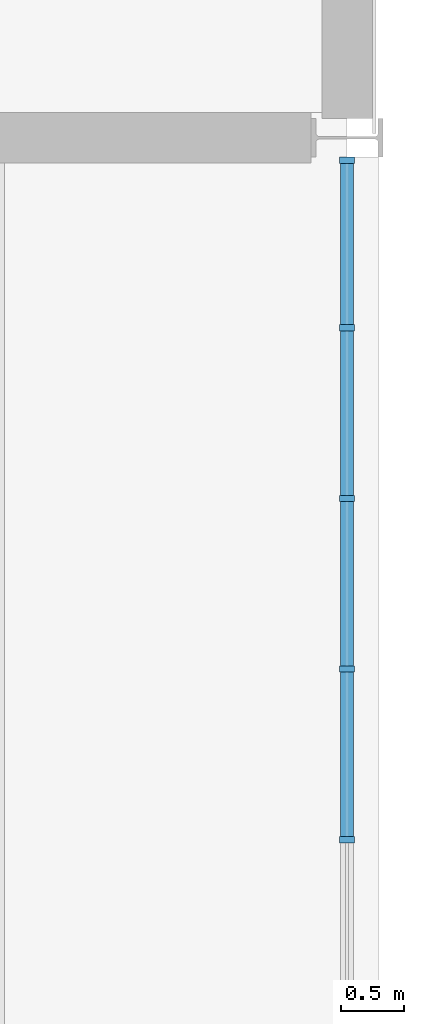
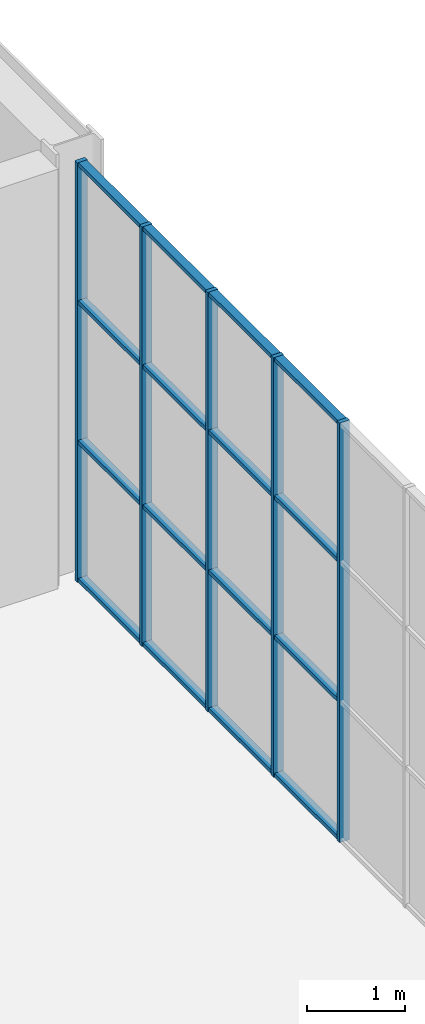
# One storey, part 31 of 64: 21 members, 1 element without a shape of its own.
"""IFC4 building model written with IfcOpenShell, lengths in metres."""

from ifc_helpers import new_model, si_unit, direction, frame, origin, origin_2d, place, context, subcontext, project, spatial, rectangle, extrude, material, layer, layer_set, material_profile, profile_set, type_object, element, aggregate, save


model = new_model("IFC4")

# Units and contexts
model_context = context("Model", 3, precision=1e-05, world=origin(), true_north=direction((0.0, 1.0)))
body_context = subcontext(model_context, "Body", "Model", "MODEL_VIEW")
ifc_project = project(units=[si_unit("LENGTHUNIT", "METRE"), si_unit("AREAUNIT", "SQUARE_METRE"), si_unit("VOLUMEUNIT", "CUBIC_METRE"), si_unit("PLANEANGLEUNIT", "RADIAN"), si_unit("MASSUNIT", "GRAM", prefix="KILO")], contexts=[model_context])

# Site, building, storey
site_placement = place(None, origin())
site = spatial("IfcSite", under=ifc_project, at=site_placement, CompositionType="ELEMENT")
building_placement = place(site_placement, origin())
building = spatial("IfcBuilding", under=site, at=building_placement, Name="Galleria Vessillo Department Store", CompositionType="ELEMENT")
storey_placement = place(building_placement, frame((0.0, 0.0, 6.0)))
storey = spatial("IfcBuildingStorey", under=building, at=storey_placement, Name="L01", CompositionType="ELEMENT", Elevation=6.0)

# Curtain wall, members
ifc_material_1 = material(Name="Aluminium and glass curtain wall", Category="aluminium")
ifc_layer = layer(ifc_material_1, 0.1201171875)
ifc_layer_set = layer_set([ifc_layer], Name="Aluminium and glass curtain wall")
curtain_wall_type = type_object("IfcCurtainWallType", Name="Shopfront curtain wall CW3 1400 module", PredefinedType="NOTDEFINED", material=ifc_layer_set)
curtain_wall_placement = place(storey_placement, origin())
curtain_wall = element("IfcCurtainWall", 1, at=curtain_wall_placement, inside=storey, type_object=curtain_wall_type, Name="Shopfront curtain wall CW3 1400 module SE-N-L01-02", PredefinedType="NOTDEFINED")
ifc_material_2 = material(Name="Aluminium alloy 6063 T6", Category="aluminium")
ifc_material_profile_1 = material_profile(ifc_material_2, rectangle(XDim=0.1201171875, YDim=0.050048828125, at=origin_2d()), Name="AL 50x120")
ifc_profile_set_1 = profile_set([ifc_material_profile_1], Name="Aluminium alloy 6063 T6")
member_type_1 = type_object("IfcMemberType", Name="Aluminium mullion 50 x 120", PredefinedType="MULLION", material=ifc_profile_set_1)
member_1_placement = place(storey_placement, frame((117.60009765625, 49.051025390625, 0.0), z_axis=(0.0, 0.0, 1.0), x_axis=(-1.0, 0.0, 0.0)))
member_1 = element("IfcMember", 2, at=member_1_placement, type_object=member_type_1, Name="CW3 mullion 3", PredefinedType="MULLION", context=body_context, shape_type="SweptSolid", body=[
    extrude(rectangle(XDim=0.1201171875, YDim=0.050048828125, at=origin_2d()), origin(), (0.0, 0.0, 1.0), 5.25),
])
member_2_placement = place(storey_placement, frame((117.60009765625, 50.39990234375, 0.0), z_axis=(0.0, 0.0, 1.0), x_axis=(-1.0, 0.0, 0.0)))
member_2 = element("IfcMember", 3, at=member_2_placement, type_object=member_type_1, Name="CW3 mullion 4", PredefinedType="MULLION", context=body_context, shape_type="SweptSolid", body=[
    extrude(rectangle(XDim=0.1201171875, YDim=0.050048828125, at=origin_2d()), origin(), (0.0, 0.0, 1.0), 5.25),
])
member_3_placement = place(storey_placement, frame((117.60009765625, 51.7490234375, 0.0), z_axis=(0.0, 0.0, 1.0), x_axis=(-1.0, 0.0, 0.0)))
member_3 = element("IfcMember", 4, at=member_3_placement, type_object=member_type_1, Name="CW3 mullion 5", PredefinedType="MULLION", context=body_context, shape_type="SweptSolid", body=[
    extrude(rectangle(XDim=0.1201171875, YDim=0.050048828125, at=origin_2d()), origin(), (0.0, 0.0, 1.0), 5.25),
])
member_4_placement = place(storey_placement, frame((117.60009765625, 53.09814453125, 0.0), z_axis=(0.0, 0.0, 1.0), x_axis=(-1.0, 0.0, 0.0)))
member_4 = element("IfcMember", 5, at=member_4_placement, type_object=member_type_1, Name="CW3 mullion 6", PredefinedType="MULLION", context=body_context, shape_type="SweptSolid", body=[
    extrude(rectangle(XDim=0.1201171875, YDim=0.050048828125, at=origin_2d()), origin(), (0.0, 0.0, 1.0), 5.25),
])
member_5_placement = place(storey_placement, frame((117.60009765625, 54.422119140625, 0.0), z_axis=(0.0, 0.0, 1.0), x_axis=(-1.0, 0.0, 0.0)))
member_5 = element("IfcMember", 6, at=member_5_placement, type_object=member_type_1, Name="CW3 mullion 7", PredefinedType="MULLION", context=body_context, shape_type="SweptSolid", body=[
    extrude(rectangle(XDim=0.1201171875, YDim=0.050048828125, at=origin_2d()), origin(), (0.0, 0.0, 1.0), 5.25),
])
ifc_material_3 = material(Name="Aluminium alloy 6063 T6", Category="aluminium")
ifc_material_profile_2 = material_profile(ifc_material_3, rectangle(XDim=0.10009765625, YDim=0.050048828125, at=origin_2d()), Name="AL 50x100")
ifc_profile_set_2 = profile_set([ifc_material_profile_2], Name="Aluminium alloy 6063 T6")
member_type_2 = type_object("IfcMemberType", Name="Aluminium transom 50 x 100", PredefinedType="USERDEFINED", material=ifc_profile_set_2)
member_6_placement = place(storey_placement, frame((117.60009765625, 49.075927734375, 0.02490234375), z_axis=(0.0, 1.0, 0.0), x_axis=(-1.0, 0.0, 0.0)))
member_6 = element("IfcMember", 7, at=member_6_placement, type_object=member_type_2, Name="CW3 transom 3.1", ObjectType="TRANSOM", PredefinedType="USERDEFINED", context=body_context, shape_type="SweptSolid", body=[
    extrude(rectangle(XDim=0.10009765625, YDim=0.050048828125, at=origin_2d()), origin(), (0.0, 0.0, 1.0), 1.299072265625),
])
member_7_placement = place(storey_placement, frame((117.60009765625, 49.075927734375, 1.75), z_axis=(0.0, 1.0, 0.0), x_axis=(-1.0, 0.0, 0.0)))
member_7 = element("IfcMember", 8, at=member_7_placement, type_object=member_type_2, Name="CW3 transom 3.2", ObjectType="TRANSOM", PredefinedType="USERDEFINED", context=body_context, shape_type="SweptSolid", body=[
    extrude(rectangle(XDim=0.10009765625, YDim=0.050048828125, at=origin_2d()), origin(), (0.0, 0.0, 1.0), 1.299072265625),
])
member_8_placement = place(storey_placement, frame((117.60009765625, 49.075927734375, 3.5), z_axis=(0.0, 1.0, 0.0), x_axis=(-1.0, 0.0, 0.0)))
member_8 = element("IfcMember", 9, at=member_8_placement, type_object=member_type_2, Name="CW3 transom 3.3", ObjectType="TRANSOM", PredefinedType="USERDEFINED", context=body_context, shape_type="SweptSolid", body=[
    extrude(rectangle(XDim=0.10009765625, YDim=0.050048828125, at=origin_2d()), origin(), (0.0, 0.0, 1.0), 1.299072265625),
])
member_9_placement = place(storey_placement, frame((117.60009765625, 49.075927734375, 5.22509765625), z_axis=(0.0, 1.0, 0.0), x_axis=(-1.0, 0.0, 0.0)))
member_9 = element("IfcMember", 10, at=member_9_placement, type_object=member_type_2, Name="CW3 transom 3.4", ObjectType="TRANSOM", PredefinedType="USERDEFINED", context=body_context, shape_type="SweptSolid", body=[
    extrude(rectangle(XDim=0.10009765625, YDim=0.050048828125, at=origin_2d()), origin(), (0.0, 0.0, 1.0), 1.299072265625),
])
member_10_placement = place(storey_placement, frame((117.60009765625, 50.425048828125, 0.02490234375), z_axis=(0.0, 1.0, 0.0), x_axis=(-1.0, 0.0, 0.0)))
member_10 = element("IfcMember", 11, at=member_10_placement, type_object=member_type_2, Name="CW3 transom 4.1", ObjectType="TRANSOM", PredefinedType="USERDEFINED", context=body_context, shape_type="SweptSolid", body=[
    extrude(rectangle(XDim=0.10009765625, YDim=0.050048828125, at=origin_2d()), origin(), (0.0, 0.0, 1.0), 1.299072265625),
])
member_11_placement = place(storey_placement, frame((117.60009765625, 50.425048828125, 1.75), z_axis=(0.0, 1.0, 0.0), x_axis=(-1.0, 0.0, 0.0)))
member_11 = element("IfcMember", 12, at=member_11_placement, type_object=member_type_2, Name="CW3 transom 4.2", ObjectType="TRANSOM", PredefinedType="USERDEFINED", context=body_context, shape_type="SweptSolid", body=[
    extrude(rectangle(XDim=0.10009765625, YDim=0.050048828125, at=origin_2d()), origin(), (0.0, 0.0, 1.0), 1.299072265625),
])
member_12_placement = place(storey_placement, frame((117.60009765625, 50.425048828125, 3.5), z_axis=(0.0, 1.0, 0.0), x_axis=(-1.0, 0.0, 0.0)))
member_12 = element("IfcMember", 13, at=member_12_placement, type_object=member_type_2, Name="CW3 transom 4.3", ObjectType="TRANSOM", PredefinedType="USERDEFINED", context=body_context, shape_type="SweptSolid", body=[
    extrude(rectangle(XDim=0.10009765625, YDim=0.050048828125, at=origin_2d()), origin(), (0.0, 0.0, 1.0), 1.299072265625),
])
member_13_placement = place(storey_placement, frame((117.60009765625, 50.425048828125, 5.22509765625), z_axis=(0.0, 1.0, 0.0), x_axis=(-1.0, 0.0, 0.0)))
member_13 = element("IfcMember", 14, at=member_13_placement, type_object=member_type_2, Name="CW3 transom 4.4", ObjectType="TRANSOM", PredefinedType="USERDEFINED", context=body_context, shape_type="SweptSolid", body=[
    extrude(rectangle(XDim=0.10009765625, YDim=0.050048828125, at=origin_2d()), origin(), (0.0, 0.0, 1.0), 1.299072265625),
])
member_14_placement = place(storey_placement, frame((117.60009765625, 51.77392578125, 0.02490234375), z_axis=(0.0, 1.0, 0.0), x_axis=(-1.0, 0.0, 0.0)))
member_14 = element("IfcMember", 15, at=member_14_placement, type_object=member_type_2, Name="CW3 transom 5.1", ObjectType="TRANSOM", PredefinedType="USERDEFINED", context=body_context, shape_type="SweptSolid", body=[
    extrude(rectangle(XDim=0.10009765625, YDim=0.050048828125, at=origin_2d()), origin(), (0.0, 0.0, 1.0), 1.299072265625),
])
member_15_placement = place(storey_placement, frame((117.60009765625, 51.77392578125, 1.75), z_axis=(0.0, 1.0, 0.0), x_axis=(-1.0, 0.0, 0.0)))
member_15 = element("IfcMember", 16, at=member_15_placement, type_object=member_type_2, Name="CW3 transom 5.2", ObjectType="TRANSOM", PredefinedType="USERDEFINED", context=body_context, shape_type="SweptSolid", body=[
    extrude(rectangle(XDim=0.10009765625, YDim=0.050048828125, at=origin_2d()), origin(), (0.0, 0.0, 1.0), 1.299072265625),
])
member_16_placement = place(storey_placement, frame((117.60009765625, 51.77392578125, 3.5), z_axis=(0.0, 1.0, 0.0), x_axis=(-1.0, 0.0, 0.0)))
member_16 = element("IfcMember", 17, at=member_16_placement, type_object=member_type_2, Name="CW3 transom 5.3", ObjectType="TRANSOM", PredefinedType="USERDEFINED", context=body_context, shape_type="SweptSolid", body=[
    extrude(rectangle(XDim=0.10009765625, YDim=0.050048828125, at=origin_2d()), origin(), (0.0, 0.0, 1.0), 1.299072265625),
])
member_17_placement = place(storey_placement, frame((117.60009765625, 51.77392578125, 5.22509765625), z_axis=(0.0, 1.0, 0.0), x_axis=(-1.0, 0.0, 0.0)))
member_17 = element("IfcMember", 18, at=member_17_placement, type_object=member_type_2, Name="CW3 transom 5.4", ObjectType="TRANSOM", PredefinedType="USERDEFINED", context=body_context, shape_type="SweptSolid", body=[
    extrude(rectangle(XDim=0.10009765625, YDim=0.050048828125, at=origin_2d()), origin(), (0.0, 0.0, 1.0), 1.299072265625),
])
member_18_placement = place(storey_placement, frame((117.60009765625, 53.123046875, 0.02490234375), z_axis=(0.0, 1.0, 0.0), x_axis=(-1.0, 0.0, 0.0)))
member_18 = element("IfcMember", 19, at=member_18_placement, type_object=member_type_2, Name="CW3 transom 6.1", ObjectType="TRANSOM", PredefinedType="USERDEFINED", context=body_context, shape_type="SweptSolid", body=[
    extrude(rectangle(XDim=0.10009765625, YDim=0.050048828125, at=origin_2d()), origin(), (0.0, 0.0, 1.0), 1.27392578125),
])
member_19_placement = place(storey_placement, frame((117.60009765625, 53.123046875, 1.75), z_axis=(0.0, 1.0, 0.0), x_axis=(-1.0, 0.0, 0.0)))
member_19 = element("IfcMember", 20, at=member_19_placement, type_object=member_type_2, Name="CW3 transom 6.2", ObjectType="TRANSOM", PredefinedType="USERDEFINED", context=body_context, shape_type="SweptSolid", body=[
    extrude(rectangle(XDim=0.10009765625, YDim=0.050048828125, at=origin_2d()), origin(), (0.0, 0.0, 1.0), 1.27392578125),
])
member_20_placement = place(storey_placement, frame((117.60009765625, 53.123046875, 3.5), z_axis=(0.0, 1.0, 0.0), x_axis=(-1.0, 0.0, 0.0)))
member_20 = element("IfcMember", 21, at=member_20_placement, type_object=member_type_2, Name="CW3 transom 6.3", ObjectType="TRANSOM", PredefinedType="USERDEFINED", context=body_context, shape_type="SweptSolid", body=[
    extrude(rectangle(XDim=0.10009765625, YDim=0.050048828125, at=origin_2d()), origin(), (0.0, 0.0, 1.0), 1.27392578125),
])
member_21_placement = place(storey_placement, frame((117.60009765625, 53.123046875, 5.22509765625), z_axis=(0.0, 1.0, 0.0), x_axis=(-1.0, 0.0, 0.0)))
member_21 = element("IfcMember", 22, at=member_21_placement, type_object=member_type_2, Name="CW3 transom 6.4", ObjectType="TRANSOM", PredefinedType="USERDEFINED", context=body_context, shape_type="SweptSolid", body=[
    extrude(rectangle(XDim=0.10009765625, YDim=0.050048828125, at=origin_2d()), origin(), (0.0, 0.0, 1.0), 1.27392578125),
])
aggregate(curtain_wall, [member_1, member_2, member_3, member_4, member_5, member_6, member_7, member_8, member_9, member_10, member_11, member_12, member_13, member_14, member_15, member_16, member_17, member_18, member_19, member_20, member_21])

save(model, "model.ifc")
